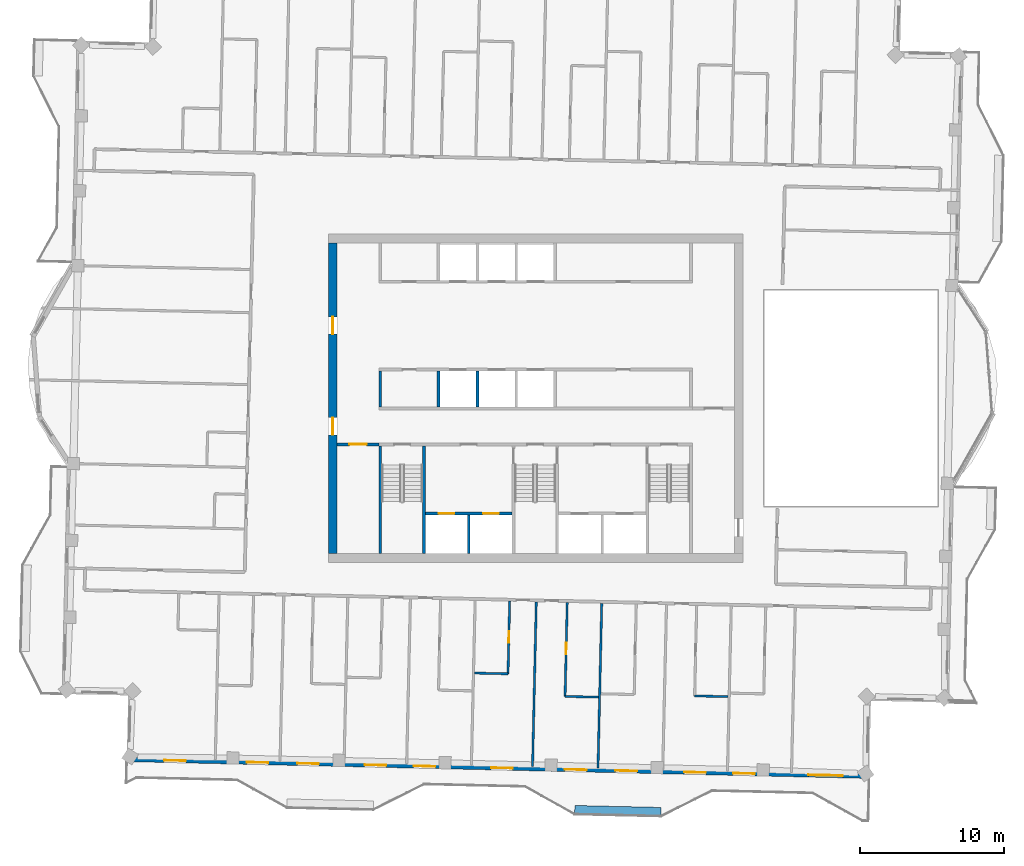
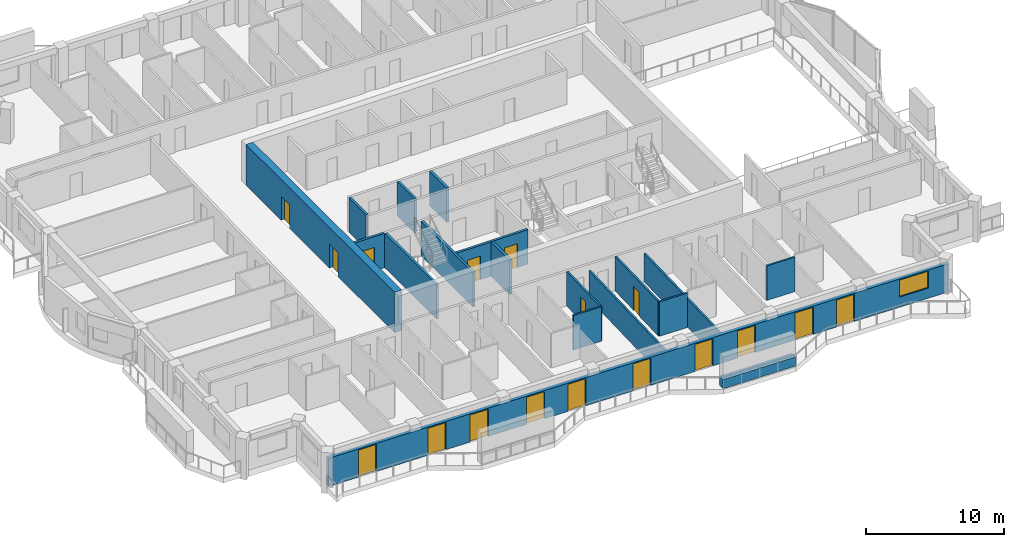
# One storey, part 5 of 15: 18 walls, 17 doors, 1 window, 18 openings.
"""IFC4 building model written with IfcOpenShell, lengths in metres."""

from ifc_helpers import new_model, si_unit, direction, frame, frame_2d, origin, place, context, subcontext, project, spatial, rectangle, extrude, material, layer, layer_set, type_object, element, fill, save


model = new_model("IFC4")

# Units and contexts
model_context = context("Model", 3, precision=1e-05, world=origin(), true_north=direction((0.0, 1.0)))
body_context = subcontext(model_context, "Body", "Model", "MODEL_VIEW")
ifc_project = project(units=[si_unit("LENGTHUNIT", "METRE"), si_unit("AREAUNIT", "SQUARE_METRE"), si_unit("VOLUMEUNIT", "CUBIC_METRE"), si_unit("PLANEANGLEUNIT", "RADIAN"), si_unit("MASSUNIT", "GRAM", prefix="KILO")], contexts=[model_context])

# Site, building, storey
site_placement = place(None, origin())
site = spatial("IfcSite", under=ifc_project, at=site_placement, CompositionType="ELEMENT")
building_placement = place(site_placement, origin())
building = spatial("IfcBuilding", under=site, at=building_placement, Name="Mangrove Gate Tower", CompositionType="ELEMENT")
storey_placement = place(building_placement, frame((0.0, 0.0, 320.5)))
storey = spatial("IfcBuildingStorey", under=building, at=storey_placement, Name="L82", CompositionType="ELEMENT", Elevation=320.5)

# Wall, opening, door
ifc_material_1 = material(Name="Concrete C32/40", Category="concrete")
ifc_layer_1 = layer(ifc_material_1, 0.199951171875)
ifc_layer_set_1 = layer_set([ifc_layer_1], Name="Core lobby wall 200 C32/40")
wall_type_1 = type_object("IfcWallType", Name="Core lobby wall 200 C32/40", PredefinedType="STANDARD", material=ifc_layer_set_1)
wall_1_placement = place(storey_placement, frame((-13.800048828125, -3.199951171875, 0.0), z_axis=(0.0, 0.0, 1.0), x_axis=(1.0, 0.0, 0.0)))
wall_1 = element("IfcWall", 1, at=wall_1_placement, inside=storey, type_object=wall_type_1, Name="WALL-L82-CORE-31", PredefinedType="STANDARD", context=body_context, shape_type="SweptSolid", body=[
    extrude(rectangle(XDim=2.900146484375, YDim=0.199951171875, at=frame_2d((1.4501953125, 0.0))), origin(), (0.0, 0.0, 1.0), 3.050048828125),
])
opening_1_placement = place(wall_1_placement, frame((0.85009765625, 0.0, 0.0)))
opening_1 = element("IfcOpeningElement", 2, at=opening_1_placement, cuts=wall_1, Name="Opening FL12", PredefinedType="OPENING", context=body_context, shape_type="SweptSolid", body=[
    extrude(rectangle(XDim=1.199951171875, YDim=2.10009765625, at=frame_2d((0.60009765625, 1.050048828125))), frame((0.0, 0.10986328125, 0.0), z_axis=(0.0, -1.0, 0.0), x_axis=(1.0, 0.0, 0.0)), (0.0, 0.0, 1.0), 0.219970703125),
])
ifc_material_2 = material(Name="Fire-rated steel door set", Category="steel")
door_type_1 = type_object("IfcDoorType", Name="Lobby door FD60 1200x2100", OperationType="SINGLE_SWING_LEFT", PredefinedType="DOOR", material=ifc_material_2)
door_1_placement = place(opening_1_placement, origin())
door_1 = element("IfcDoor", 3, at=door_1_placement, inside=storey, type_object=door_type_1, Name="Lobby door core corridor W partition", OperationType="SINGLE_SWING_LEFT", OverallHeight=2.10009765625, OverallWidth=1.199951171875, PredefinedType="DOOR", context=body_context, shape_type="SweptSolid", body=[
    extrude(rectangle(XDim=1.199951171875, YDim=2.10009765625, at=frame_2d((0.60009765625, 1.050048828125))), frame((0.0, 0.02490234375, 0.0), z_axis=(0.0, -1.0, 0.0), x_axis=(1.0, 0.0, 0.0)), (0.0, 0.0, 1.0), 0.050048828125),
])
fill(opening_1, door_1)

# Wall
ifc_material_3 = material(Name="Concrete C32/40", Category="concrete")
ifc_layer_2 = layer(ifc_material_3, 0.199951171875)
ifc_layer_set_2 = layer_set([ifc_layer_2], Name="Core room wall 200 C32/40")
wall_type_2 = type_object("IfcWallType", Name="Core room wall 200 C32/40", PredefinedType="STANDARD", material=ifc_layer_set_2)
wall_2_placement = place(storey_placement, frame((-10.800048828125, -0.60009765625, 0.0), z_axis=(0.0, 0.0, 1.0), x_axis=(0.0, 1.0, 0.0)))
element("IfcWall", 4, at=wall_2_placement, inside=storey, type_object=wall_type_2, Name="WALL-L82-CORE-19", PredefinedType="STANDARD", context=body_context, shape_type="SweptSolid", body=[
    extrude(rectangle(XDim=2.5, YDim=0.199951171875, at=frame_2d((1.25, 0.0))), origin(), (0.0, 0.0, 1.0), 3.050048828125),
])

# Wall, openings, doors
ifc_material_4 = material(Name="Concrete C50/60", Category="concrete")
ifc_layer_3 = layer(ifc_material_4, 0.199951171875)
ifc_layer_set_3 = layer_set([ifc_layer_3], Name="Core shaft wall 200 C50/60")
wall_type_3 = type_object("IfcWallType", Name="Core shaft wall 200 C50/60", PredefinedType="SHEAR", material=ifc_layer_set_3)
wall_3_placement = place(storey_placement, frame((-7.64990234375, -8.0, 0.0), z_axis=(0.0, 0.0, 1.0), x_axis=(1.0, 0.0, 0.0)))
wall_3 = element("IfcWall", 5, at=wall_3_placement, inside=storey, type_object=wall_type_3, Name="WALL-L82-CORE-15", PredefinedType="SHEAR", context=body_context, shape_type="SweptSolid", body=[
    extrude(rectangle(XDim=6.0, YDim=0.199951171875, at=frame_2d((3.0, 0.0))), origin(), (0.0, 0.0, 1.0), 3.050048828125),
])
opening_2_placement = place(wall_3_placement, frame((0.89990234375, 0.0, 0.0)))
opening_2 = element("IfcOpeningElement", 6, at=opening_2_placement, cuts=wall_3, Name="Opening LD", PredefinedType="OPENING", context=body_context, shape_type="SweptSolid", body=[
    extrude(rectangle(XDim=1.10009765625, YDim=2.10009765625, at=frame_2d((0.550048828125, 1.050048828125))), frame((0.0, 0.10986328125, 0.0), z_axis=(0.0, -1.0, 0.0), x_axis=(1.0, 0.0, 0.0)), (0.0, 0.0, 1.0), 0.219970703125),
])
opening_3_placement = place(wall_3_placement, frame((4.0, 0.0, 0.0)))
opening_3 = element("IfcOpeningElement", 7, at=opening_3_placement, cuts=wall_3, Name="Opening LD", PredefinedType="OPENING", context=body_context, shape_type="SweptSolid", body=[
    extrude(rectangle(XDim=1.10009765625, YDim=2.10009765625, at=frame_2d((0.550048828125, 1.050048828125))), frame((0.0, 0.10986328125, 0.0), z_axis=(0.0, -1.0, 0.0), x_axis=(1.0, 0.0, 0.0)), (0.0, 0.0, 1.0), 0.219970703125),
])
ifc_material_5 = material(Name="Stainless steel 316", Category="steel")
door_type_2 = type_object("IfcDoorType", Name="Lift landing door 1100x2100", OperationType="SLIDING_TO_LEFT", PredefinedType="DOOR", material=ifc_material_5)
door_2_placement = place(opening_2_placement, origin())
door_2 = element("IfcDoor", 8, at=door_2_placement, inside=storey, type_object=door_type_2, Name="Landing door LD SVL1", OperationType="SLIDING_TO_LEFT", OverallHeight=2.10009765625, OverallWidth=1.10009765625, PredefinedType="DOOR", context=body_context, shape_type="SweptSolid", body=[
    extrude(rectangle(XDim=1.10009765625, YDim=2.10009765625, at=frame_2d((0.550048828125, 1.050048828125))), frame((0.0, 0.02490234375, 0.0), z_axis=(0.0, -1.0, 0.0), x_axis=(1.0, 0.0, 0.0)), (0.0, 0.0, 1.0), 0.050048828125),
])
fill(opening_2, door_2)
door_3_placement = place(opening_3_placement, origin())
door_3 = element("IfcDoor", 9, at=door_3_placement, inside=storey, type_object=door_type_2, Name="Landing door LD SVL2", OperationType="SLIDING_TO_LEFT", OverallHeight=2.10009765625, OverallWidth=1.10009765625, PredefinedType="DOOR", context=body_context, shape_type="SweptSolid", body=[
    extrude(rectangle(XDim=1.10009765625, YDim=2.10009765625, at=frame_2d((0.550048828125, 1.050048828125))), frame((0.0, 0.02490234375, 0.0), z_axis=(0.0, -1.0, 0.0), x_axis=(1.0, 0.0, 0.0)), (0.0, 0.0, 1.0), 0.050048828125),
])
fill(opening_3, door_3)

# Walls
wall_4_placement = place(storey_placement, frame((-4.64990234375, -10.800048828125, 0.0), z_axis=(0.0, 0.0, 1.0), x_axis=(0.0, 1.0, 0.0)))
element("IfcWall", 10, at=wall_4_placement, inside=storey, type_object=wall_type_3, Name="WALL-L82-CORE-16", PredefinedType="SHEAR", context=body_context, shape_type="SweptSolid", body=[
    extrude(rectangle(XDim=2.699951171875, YDim=0.199951171875, at=frame_2d((1.35009765625, 0.0))), origin(), (0.0, 0.0, 1.0), 3.050048828125),
])
for number, where, z_axis, x_axis, name in (
    (11, (-6.75, -0.60009765625, 0.0), (0.0, 0.0, 1.0), (0.0, 1.0, 0.0), "WALL-L82-CORE-20"),
    (12, (-4.050048828125, -0.60009765625, 0.0), (0.0, 0.0, 1.0), (0.0, 1.0, 0.0), "WALL-L82-CORE-21"),
):
    element("IfcWall", number, at=place(storey_placement, frame(where, z_axis=z_axis, x_axis=x_axis)), inside=storey, type_object=wall_type_3, Name=name, PredefinedType="SHEAR", context=body_context, shape_type="SweptSolid", body=[
        extrude(rectangle(XDim=2.5, YDim=0.199951171875, at=frame_2d((1.25, 0.0))), origin(), (0.0, 0.0, 1.0), 3.050048828125),
    ])
ifc_material_6 = material(Name="Concrete C50/60", Category="concrete")
ifc_layer_4 = layer(ifc_material_6, 0.199951171875)
ifc_layer_set_4 = layer_set([ifc_layer_4], Name="Core stair wall 200 C50/60")
wall_type_4 = type_object("IfcWallType", Name="Core stair wall 200 C50/60", PredefinedType="SHEAR", material=ifc_layer_set_4)
for number, where, z_axis, x_axis, name in (
    (13, (-10.800048828125, -10.800048828125, 0.0), (0.0, 0.0, 1.0), (0.0, 1.0, 0.0), "WALL-L82-CORE-9"),
    (14, (-7.75, -10.800048828125, 0.0), (0.0, 0.0, 1.0), (0.0, 1.0, 0.0), "WALL-L82-CORE-10"),
):
    element("IfcWall", number, at=place(storey_placement, frame(where, z_axis=z_axis, x_axis=x_axis)), inside=storey, type_object=wall_type_4, Name=name, PredefinedType="SHEAR", context=body_context, shape_type="SweptSolid", body=[
        extrude(rectangle(XDim=7.5, YDim=0.199951171875, at=frame_2d((3.75, 0.0))), origin(), (0.0, 0.0, 1.0), 3.050048828125),
    ])

# Wall, openings, doors
ifc_material_7 = material(Name="Concrete C50/60", Category="concrete")
ifc_layer_5 = layer(ifc_material_7, 0.60009765625)
ifc_layer_set_5 = layer_set([ifc_layer_5], Name="Core wall 600 C50/60")
wall_type_5 = type_object("IfcWallType", Name="Core wall 600 C50/60", PredefinedType="SHEAR", material=ifc_layer_set_5)
wall_5_placement = place(storey_placement, frame((-14.10009765625, -10.800048828125, 0.0), z_axis=(0.0, 0.0, 1.0), x_axis=(0.0, 1.0, 0.0)))
wall_5 = element("IfcWall", 15, at=wall_5_placement, inside=storey, type_object=wall_type_5, Name="WALL-L82-CORE-3", PredefinedType="SHEAR", context=body_context, shape_type="SweptSolid", body=[
    extrude(rectangle(XDim=21.60009765625, YDim=0.60009765625, at=frame_2d((10.800048828125, 0.0))), origin(), (0.0, 0.0, 1.0), 3.60009765625),
])
opening_4_placement = place(wall_5_placement, frame((8.25, 0.0, 0.0)))
opening_4 = element("IfcOpeningElement", 16, at=opening_4_placement, cuts=wall_5, Name="Opening CD", PredefinedType="OPENING", context=body_context, shape_type="SweptSolid", body=[
    extrude(rectangle(XDim=1.199951171875, YDim=2.10009765625, at=frame_2d((0.60009765625, 1.050048828125))), frame((0.0, 0.31005859375, 0.0), z_axis=(0.0, -1.0, 0.0), x_axis=(1.0, 0.0, 0.0)), (0.0, 0.0, 1.0), 0.6201171875),
])
opening_5_placement = place(wall_5_placement, frame((15.25, 0.0, 0.0)))
opening_5 = element("IfcOpeningElement", 17, at=opening_5_placement, cuts=wall_5, Name="Opening CD", PredefinedType="OPENING", context=body_context, shape_type="SweptSolid", body=[
    extrude(rectangle(XDim=1.199951171875, YDim=2.10009765625, at=frame_2d((0.60009765625, 1.050048828125))), frame((0.0, 0.31005859375, 0.0), z_axis=(0.0, -1.0, 0.0), x_axis=(1.0, 0.0, 0.0)), (0.0, 0.0, 1.0), 0.6201171875),
])
ifc_material_8 = material(Name="Fire-rated steel door set", Category="steel")
door_type_3 = type_object("IfcDoorType", Name="Core ring door FD60 1200x2100", OperationType="DOUBLE_DOOR_SINGLE_SWING", PredefinedType="DOOR", material=ifc_material_8)
door_4_placement = place(opening_4_placement, origin())
door_4 = element("IfcDoor", 18, at=door_4_placement, inside=storey, type_object=door_type_3, Name="Core ring door W1", OperationType="DOUBLE_DOOR_SINGLE_SWING", OverallHeight=2.10009765625, OverallWidth=1.199951171875, PredefinedType="DOOR", context=body_context, shape_type="SweptSolid", body=[
    extrude(rectangle(XDim=1.199951171875, YDim=2.10009765625, at=frame_2d((0.60009765625, 1.050048828125))), frame((0.0, 0.02490234375, 0.0), z_axis=(0.0, -1.0, 0.0), x_axis=(1.0, 0.0, 0.0)), (0.0, 0.0, 1.0), 0.050048828125),
])
fill(opening_4, door_4)
door_5_placement = place(opening_5_placement, origin())
door_5 = element("IfcDoor", 19, at=door_5_placement, inside=storey, type_object=door_type_3, Name="Core ring door W2", OperationType="DOUBLE_DOOR_SINGLE_SWING", OverallHeight=2.10009765625, OverallWidth=1.199951171875, PredefinedType="DOOR", context=body_context, shape_type="SweptSolid", body=[
    extrude(rectangle(XDim=1.199951171875, YDim=2.10009765625, at=frame_2d((0.60009765625, 1.050048828125))), frame((0.0, 0.02490234375, 0.0), z_axis=(0.0, -1.0, 0.0), x_axis=(1.0, 0.0, 0.0)), (0.0, 0.0, 1.0), 0.050048828125),
])
fill(opening_5, door_5)

# Wall, openings, doors, window
ifc_material_9 = material(Name="Limestone", Category="masonry")
ifc_layer_6 = layer(ifc_material_9, 0.0400390625, Name="Limestone cladding")
ifc_material_10 = material(Name="Ventilated air gap")
ifc_layer_7 = layer(ifc_material_10, 0.0400390625, Name="Ventilated cavity")
ifc_material_11 = material(Name="Mineral wool insulation")
ifc_layer_8 = layer(ifc_material_11, 0.06005859375, Name="Insulation")
ifc_material_12 = material(Name="Breather membrane")
ifc_layer_9 = layer(ifc_material_12, 0.001953125, Name="Breather membrane")
ifc_material_13 = material(Name="Concrete C20/25 blockwork", Category="masonry")
ifc_layer_10 = layer(ifc_material_13, 0.14990234375, Name="Blockwork backing wall")
ifc_material_14 = material(Name="Gypsum plaster")
ifc_layer_11 = layer(ifc_material_14, 0.008056640625, Name="Internal plaster")
ifc_layer_set_6 = layer_set([ifc_layer_6, ifc_layer_7, ifc_layer_8, ifc_layer_9, ifc_layer_10, ifc_layer_11], Name="External wall 300 limestone cladding")
wall_type_6 = type_object("IfcWallType", Name="External wall 300 limestone cladding", PredefinedType="SOLIDWALL", material=ifc_layer_set_6)
wall_6_placement = place(storey_placement, frame((-28.263916015625, -25.10205078125, 0.0), z_axis=(0.0, 0.0, 1.0), x_axis=(0.999742520573, -0.022691244094, 0.0)))
wall_6 = element("IfcWall", 20, at=wall_6_placement, inside=storey, type_object=wall_type_6, Name="WALL-L82-S13", PredefinedType="SOLIDWALL", context=body_context, shape_type="SweptSolid", body=[
    extrude(rectangle(XDim=51.300048828125, YDim=0.300048828125, at=frame_2d((25.64990234375, 0.0))), origin(), (0.0, 0.0, 1.0), 2.5),
])
opening_6_placement = place(wall_6_placement, frame((2.455078125, 0.0, 0.0)))
opening_6 = element("IfcOpeningElement", 21, at=opening_6_placement, cuts=wall_6, Name="Opening BD1", PredefinedType="OPENING", context=body_context, shape_type="SweptSolid", body=[
    extrude(rectangle(XDim=1.5, YDim=2.39990234375, at=frame_2d((0.75, 1.199951171875))), frame((0.0, 0.159912109375, 0.0), z_axis=(0.0, -1.0, 0.0), x_axis=(1.0, 0.0, 0.0)), (0.0, 0.0, 1.0), 0.320068359375),
])
opening_7_placement = place(wall_6_placement, frame((8.197998046875, 0.0, 0.0)))
opening_7 = element("IfcOpeningElement", 22, at=opening_7_placement, cuts=wall_6, Name="Opening BD1", PredefinedType="OPENING", context=body_context, shape_type="SweptSolid", body=[
    extrude(rectangle(XDim=1.5, YDim=2.39990234375, at=frame_2d((0.75, 1.199951171875))), frame((0.0, 0.159912109375, 0.0), z_axis=(0.0, -1.0, 0.0), x_axis=(1.0, 0.0, 0.0)), (0.0, 0.0, 1.0), 0.320068359375),
])
opening_8_placement = place(wall_6_placement, frame((11.708984375, 0.0, 0.0)))
opening_8 = element("IfcOpeningElement", 23, at=opening_8_placement, cuts=wall_6, Name="Opening BD1", PredefinedType="OPENING", context=body_context, shape_type="SweptSolid", body=[
    extrude(rectangle(XDim=1.5, YDim=2.39990234375, at=frame_2d((0.75, 1.199951171875))), frame((0.0, 0.159912109375, 0.0), z_axis=(0.0, -1.0, 0.0), x_axis=(1.0, 0.0, 0.0)), (0.0, 0.0, 1.0), 0.320068359375),
])
opening_9_placement = place(wall_6_placement, frame((16.375, 0.0, 0.0)))
opening_9 = element("IfcOpeningElement", 24, at=opening_9_placement, cuts=wall_6, Name="Opening BD1", PredefinedType="OPENING", context=body_context, shape_type="SweptSolid", body=[
    extrude(rectangle(XDim=1.5, YDim=2.39990234375, at=frame_2d((0.75, 1.199951171875))), frame((0.0, 0.159912109375, 0.0), z_axis=(0.0, -1.0, 0.0), x_axis=(1.0, 0.0, 0.0)), (0.0, 0.0, 1.0), 0.320068359375),
])
opening_10_placement = place(wall_6_placement, frame((19.7939453125, 0.0, 0.0)))
opening_10 = element("IfcOpeningElement", 25, at=opening_10_placement, cuts=wall_6, Name="Opening BD1", PredefinedType="OPENING", context=body_context, shape_type="SweptSolid", body=[
    extrude(rectangle(XDim=1.5, YDim=2.39990234375, at=frame_2d((0.75, 1.199951171875))), frame((0.0, 0.159912109375, 0.0), z_axis=(0.0, -1.0, 0.0), x_axis=(1.0, 0.0, 0.0)), (0.0, 0.0, 1.0), 0.320068359375),
])
opening_11_placement = place(wall_6_placement, frame((25.175048828125, 0.0, 0.0)))
opening_11 = element("IfcOpeningElement", 26, at=opening_11_placement, cuts=wall_6, Name="Opening BD1", PredefinedType="OPENING", context=body_context, shape_type="SweptSolid", body=[
    extrude(rectangle(XDim=1.5, YDim=2.39990234375, at=frame_2d((0.75, 1.199951171875))), frame((0.0, 0.159912109375, 0.0), z_axis=(0.0, -1.0, 0.0), x_axis=(1.0, 0.0, 0.0)), (0.0, 0.0, 1.0), 0.320068359375),
])
opening_12_placement = place(wall_6_placement, frame((30.304931640625, 0.0, 0.0)))
opening_12 = element("IfcOpeningElement", 27, at=opening_12_placement, cuts=wall_6, Name="Opening BD1", PredefinedType="OPENING", context=body_context, shape_type="SweptSolid", body=[
    extrude(rectangle(XDim=1.5, YDim=2.39990234375, at=frame_2d((0.75, 1.199951171875))), frame((0.0, 0.159912109375, 0.0), z_axis=(0.0, -1.0, 0.0), x_axis=(1.0, 0.0, 0.0)), (0.0, 0.0, 1.0), 0.320068359375),
])
opening_13_placement = place(wall_6_placement, frame((33.81591796875, 0.0, 0.0)))
opening_13 = element("IfcOpeningElement", 28, at=opening_13_placement, cuts=wall_6, Name="Opening BD1", PredefinedType="OPENING", context=body_context, shape_type="SweptSolid", body=[
    extrude(rectangle(XDim=1.5, YDim=2.39990234375, at=frame_2d((0.75, 1.199951171875))), frame((0.0, 0.159912109375, 0.0), z_axis=(0.0, -1.0, 0.0), x_axis=(1.0, 0.0, 0.0)), (0.0, 0.0, 1.0), 0.320068359375),
])
opening_14_placement = place(wall_6_placement, frame((38.60009765625, 0.0, 0.0)))
opening_14 = element("IfcOpeningElement", 29, at=opening_14_placement, cuts=wall_6, Name="Opening BD1", PredefinedType="OPENING", context=body_context, shape_type="SweptSolid", body=[
    extrude(rectangle(XDim=1.5, YDim=2.39990234375, at=frame_2d((0.75, 1.199951171875))), frame((0.0, 0.159912109375, 0.0), z_axis=(0.0, -1.0, 0.0), x_axis=(1.0, 0.0, 0.0)), (0.0, 0.0, 1.0), 0.320068359375),
])
opening_15_placement = place(wall_6_placement, frame((42.001953125, 0.0, 0.0)))
opening_15 = element("IfcOpeningElement", 30, at=opening_15_placement, cuts=wall_6, Name="Opening BD1", PredefinedType="OPENING", context=body_context, shape_type="SweptSolid", body=[
    extrude(rectangle(XDim=1.5, YDim=2.39990234375, at=frame_2d((0.75, 1.199951171875))), frame((0.0, 0.159912109375, 0.0), z_axis=(0.0, -1.0, 0.0), x_axis=(1.0, 0.0, 0.0)), (0.0, 0.0, 1.0), 0.320068359375),
])
opening_16_placement = place(wall_6_placement, frame((47.22802734375, 0.0, 0.89990234375)))
opening_16 = element("IfcOpeningElement", 31, at=opening_16_placement, cuts=wall_6, Name="Opening W2", PredefinedType="OPENING", context=body_context, shape_type="SweptSolid", body=[
    extrude(rectangle(XDim=2.39990234375, YDim=1.5, at=frame_2d((1.199951171875, 0.75))), frame((0.0, 0.159912109375, 0.0), z_axis=(0.0, -1.0, 0.0), x_axis=(1.0, 0.0, 0.0)), (0.0, 0.0, 1.0), 0.320068359375),
])
ifc_material_15 = material(Name="Aluminium frame with laminated clear glass", Category="aluminium")
door_type_4 = type_object("IfcDoorType", Name="Balcony sliding door 1500x2400", OperationType="SLIDING_TO_LEFT", PredefinedType="DOOR", material=ifc_material_15)
door_6_placement = place(opening_6_placement, origin())
door_6 = element("IfcDoor", 32, at=door_6_placement, inside=storey, type_object=door_type_4, Name="DOOR-L82-S13-1", OperationType="SLIDING_TO_LEFT", OverallHeight=2.39990234375, OverallWidth=1.5, PredefinedType="DOOR", context=body_context, shape_type="SweptSolid", body=[
    extrude(rectangle(XDim=1.5, YDim=2.39990234375, at=frame_2d((0.75, 1.199951171875))), frame((0.0, 0.02490234375, 0.0), z_axis=(0.0, -1.0, 0.0), x_axis=(1.0, 0.0, 0.0)), (0.0, 0.0, 1.0), 0.050048828125),
])
fill(opening_6, door_6)
door_7_placement = place(opening_7_placement, origin())
door_7 = element("IfcDoor", 33, at=door_7_placement, inside=storey, type_object=door_type_4, Name="DOOR-L82-S13-2", OperationType="SLIDING_TO_LEFT", OverallHeight=2.39990234375, OverallWidth=1.5, PredefinedType="DOOR", context=body_context, shape_type="SweptSolid", body=[
    extrude(rectangle(XDim=1.5, YDim=2.39990234375, at=frame_2d((0.75, 1.199951171875))), frame((0.0, 0.02490234375, 0.0), z_axis=(0.0, -1.0, 0.0), x_axis=(1.0, 0.0, 0.0)), (0.0, 0.0, 1.0), 0.050048828125),
])
fill(opening_7, door_7)
door_8_placement = place(opening_8_placement, origin())
door_8 = element("IfcDoor", 34, at=door_8_placement, inside=storey, type_object=door_type_4, Name="DOOR-L82-S13-3", OperationType="SLIDING_TO_LEFT", OverallHeight=2.39990234375, OverallWidth=1.5, PredefinedType="DOOR", context=body_context, shape_type="SweptSolid", body=[
    extrude(rectangle(XDim=1.5, YDim=2.39990234375, at=frame_2d((0.75, 1.199951171875))), frame((0.0, 0.02490234375, 0.0), z_axis=(0.0, -1.0, 0.0), x_axis=(1.0, 0.0, 0.0)), (0.0, 0.0, 1.0), 0.050048828125),
])
fill(opening_8, door_8)
door_9_placement = place(opening_9_placement, origin())
door_9 = element("IfcDoor", 35, at=door_9_placement, inside=storey, type_object=door_type_4, Name="DOOR-L82-S13-4", OperationType="SLIDING_TO_LEFT", OverallHeight=2.39990234375, OverallWidth=1.5, PredefinedType="DOOR", context=body_context, shape_type="SweptSolid", body=[
    extrude(rectangle(XDim=1.5, YDim=2.39990234375, at=frame_2d((0.75, 1.199951171875))), frame((0.0, 0.02490234375, 0.0), z_axis=(0.0, -1.0, 0.0), x_axis=(1.0, 0.0, 0.0)), (0.0, 0.0, 1.0), 0.050048828125),
])
fill(opening_9, door_9)
door_10_placement = place(opening_10_placement, origin())
door_10 = element("IfcDoor", 36, at=door_10_placement, inside=storey, type_object=door_type_4, Name="DOOR-L82-S13-5", OperationType="SLIDING_TO_LEFT", OverallHeight=2.39990234375, OverallWidth=1.5, PredefinedType="DOOR", context=body_context, shape_type="SweptSolid", body=[
    extrude(rectangle(XDim=1.5, YDim=2.39990234375, at=frame_2d((0.75, 1.199951171875))), frame((0.0, 0.02490234375, 0.0), z_axis=(0.0, -1.0, 0.0), x_axis=(1.0, 0.0, 0.0)), (0.0, 0.0, 1.0), 0.050048828125),
])
fill(opening_10, door_10)
door_11_placement = place(opening_11_placement, origin())
door_11 = element("IfcDoor", 37, at=door_11_placement, inside=storey, type_object=door_type_4, Name="DOOR-L82-S13-6", OperationType="SLIDING_TO_LEFT", OverallHeight=2.39990234375, OverallWidth=1.5, PredefinedType="DOOR", context=body_context, shape_type="SweptSolid", body=[
    extrude(rectangle(XDim=1.5, YDim=2.39990234375, at=frame_2d((0.75, 1.199951171875))), frame((0.0, 0.02490234375, 0.0), z_axis=(0.0, -1.0, 0.0), x_axis=(1.0, 0.0, 0.0)), (0.0, 0.0, 1.0), 0.050048828125),
])
fill(opening_11, door_11)
door_12_placement = place(opening_12_placement, origin())
door_12 = element("IfcDoor", 38, at=door_12_placement, inside=storey, type_object=door_type_4, Name="DOOR-L82-S13-7", OperationType="SLIDING_TO_LEFT", OverallHeight=2.39990234375, OverallWidth=1.5, PredefinedType="DOOR", context=body_context, shape_type="SweptSolid", body=[
    extrude(rectangle(XDim=1.5, YDim=2.39990234375, at=frame_2d((0.75, 1.199951171875))), frame((0.0, 0.02490234375, 0.0), z_axis=(0.0, -1.0, 0.0), x_axis=(1.0, 0.0, 0.0)), (0.0, 0.0, 1.0), 0.050048828125),
])
fill(opening_12, door_12)
door_13_placement = place(opening_13_placement, origin())
door_13 = element("IfcDoor", 39, at=door_13_placement, inside=storey, type_object=door_type_4, Name="DOOR-L82-S13-8", OperationType="SLIDING_TO_LEFT", OverallHeight=2.39990234375, OverallWidth=1.5, PredefinedType="DOOR", context=body_context, shape_type="SweptSolid", body=[
    extrude(rectangle(XDim=1.5, YDim=2.39990234375, at=frame_2d((0.75, 1.199951171875))), frame((0.0, 0.02490234375, 0.0), z_axis=(0.0, -1.0, 0.0), x_axis=(1.0, 0.0, 0.0)), (0.0, 0.0, 1.0), 0.050048828125),
])
fill(opening_13, door_13)
door_14_placement = place(opening_14_placement, origin())
door_14 = element("IfcDoor", 40, at=door_14_placement, inside=storey, type_object=door_type_4, Name="DOOR-L82-S13-9", OperationType="SLIDING_TO_LEFT", OverallHeight=2.39990234375, OverallWidth=1.5, PredefinedType="DOOR", context=body_context, shape_type="SweptSolid", body=[
    extrude(rectangle(XDim=1.5, YDim=2.39990234375, at=frame_2d((0.75, 1.199951171875))), frame((0.0, 0.02490234375, 0.0), z_axis=(0.0, -1.0, 0.0), x_axis=(1.0, 0.0, 0.0)), (0.0, 0.0, 1.0), 0.050048828125),
])
fill(opening_14, door_14)
door_15_placement = place(opening_15_placement, origin())
door_15 = element("IfcDoor", 41, at=door_15_placement, inside=storey, type_object=door_type_4, Name="DOOR-L82-S13-10", OperationType="SLIDING_TO_LEFT", OverallHeight=2.39990234375, OverallWidth=1.5, PredefinedType="DOOR", context=body_context, shape_type="SweptSolid", body=[
    extrude(rectangle(XDim=1.5, YDim=2.39990234375, at=frame_2d((0.75, 1.199951171875))), frame((0.0, 0.02490234375, 0.0), z_axis=(0.0, -1.0, 0.0), x_axis=(1.0, 0.0, 0.0)), (0.0, 0.0, 1.0), 0.050048828125),
])
fill(opening_15, door_15)
ifc_material_16 = material(Name="Aluminium frame with double-glazed low-e glass", Category="aluminium")
window_type = type_object("IfcWindowType", Name="Corner room window 2400x1500", PartitioningType="DOUBLE_PANEL_VERTICAL", PredefinedType="WINDOW", material=ifc_material_16)
window_placement = place(opening_16_placement, origin())
window = element("IfcWindow", 42, at=window_placement, inside=storey, type_object=window_type, Name="WIN-L82-S13-11", OverallHeight=1.5, OverallWidth=2.39990234375, PartitioningType="DOUBLE_PANEL_VERTICAL", PredefinedType="WINDOW", context=body_context, shape_type="SweptSolid", body=[
    extrude(rectangle(XDim=2.39990234375, YDim=1.5, at=frame_2d((1.199951171875, 0.75))), frame((0.0, 0.030029296875, 0.0), z_axis=(0.0, -1.0, 0.0), x_axis=(1.0, 0.0, 0.0)), (0.0, 0.0, 1.0), 0.06005859375),
])
fill(opening_16, window)

# Walls
ifc_material_17 = material(Name="Gypsum board on steel stud, EI 60", Category="steel")
ifc_layer_12 = layer(ifc_material_17, 0.14990234375)
ifc_layer_set_7 = layer_set([ifc_layer_12], Name="Party wall 150 EI 60")
wall_type_7 = type_object("IfcWallType", Name="Party wall 150 EI 60", PredefinedType="PARTITIONING", material=ifc_layer_set_7)
for number, where, z_axis, x_axis, name in (
    (43, (-0.218017578125, -25.587890625, 0.0), (0.0, 0.0, 1.0), (0.022708812003, 0.999742121678, 0.0), "WALL-L82-006"),
    (44, (4.3310546875, -25.69189453125, 0.0), (0.0, 0.0, 1.0), (0.022708812003, 0.999742121678, 0.0), "WALL-L82-007"),
):
    element("IfcWall", number, at=place(storey_placement, frame(where, z_axis=z_axis, x_axis=x_axis)), inside=storey, type_object=wall_type_7, Name=name, PredefinedType="PARTITIONING", context=body_context, shape_type="SweptSolid", body=[
        extrude(rectangle(XDim=11.44970703125, YDim=0.14990234375, at=frame_2d((5.724853515625, 0.0))), origin(), (0.0, 0.0, 1.0), 2.5),
    ])
wall_7_placement = place(storey_placement, frame((2.04296875, -20.718017578125, 0.0), z_axis=(0.0, 0.0, 1.0), x_axis=(0.999740478815, -0.022781023197, 0.0)))
element("IfcWall", 45, at=wall_7_placement, inside=storey, type_object=wall_type_7, Name="WALL-L82-011", PredefinedType="PARTITIONING", context=body_context, shape_type="SweptSolid", body=[
    extrude(rectangle(XDim=2.325439453125, YDim=0.14990234375, at=frame_2d((1.16259765625, 0.0))), origin(), (0.0, 0.0, 1.0), 3.050048828125),
])

# Wall, opening, door
wall_8_placement = place(storey_placement, frame((2.04296875, -20.718017578125, 0.0), z_axis=(0.0, 0.0, 1.0), x_axis=(0.022807185318, 0.999739882318, 0.0)))
wall_8 = element("IfcWall", 46, at=wall_8_placement, inside=storey, type_object=wall_type_7, Name="WALL-L82-012", PredefinedType="PARTITIONING", context=body_context, shape_type="SweptSolid", body=[
    extrude(rectangle(XDim=6.52978515625, YDim=0.14990234375, at=frame_2d((3.264892578125, 0.0))), origin(), (0.0, 0.0, 1.0), 3.050048828125),
])
opening_17_placement = place(wall_8_placement, frame((2.9150390625, 0.0, 0.0)))
opening_17 = element("IfcOpeningElement", 47, at=opening_17_placement, cuts=wall_8, Name="Opening ED", PredefinedType="OPENING", context=body_context, shape_type="SweptSolid", body=[
    extrude(rectangle(XDim=0.800048828125, YDim=2.10009765625, at=frame_2d((0.39990234375, 1.050048828125))), frame((0.0, 0.0849609375, 0.0), z_axis=(0.0, -1.0, 0.0), x_axis=(1.0, 0.0, 0.0)), (0.0, 0.0, 1.0), 0.169921875),
])
ifc_material_18 = material(Name="Timber door leaf", Category="wood")
door_type_5 = type_object("IfcDoorType", Name="En-suite door 800", OperationType="SINGLE_SWING_LEFT", PredefinedType="DOOR", material=ifc_material_18)
door_16_placement = place(opening_17_placement, origin())
door_16 = element("IfcDoor", 48, at=door_16_placement, inside=storey, type_object=door_type_5, Name="DOOR-L82-ENS-c206", OperationType="SINGLE_SWING_RIGHT", OverallHeight=2.10009765625, OverallWidth=0.800048828125, PredefinedType="DOOR", context=body_context, shape_type="SweptSolid", body=[
    extrude(rectangle(XDim=0.800048828125, YDim=2.10009765625, at=frame_2d((0.39990234375, 1.050048828125))), frame((0.0, 0.02490234375, 0.0), z_axis=(0.0, -1.0, 0.0), x_axis=(1.0, 0.0, 0.0)), (0.0, 0.0, 1.0), 0.050048828125),
])
fill(opening_17, door_16)

# Walls
for number, where, z_axis, x_axis, name in (
    (49, (11.047119140625, -20.68310546875, 0.0), (0.0, 0.0, 1.0), (0.999749744571, -0.022370700241, 0.0), "WALL-L82-019"),
    (50, (-4.24609375, -19.094970703125, 0.0), (0.0, 0.0, 1.0), (0.999740260747, -0.02279059109, 0.0), "WALL-L82-027"),
):
    element("IfcWall", number, at=place(storey_placement, frame(where, z_axis=z_axis, x_axis=x_axis)), inside=storey, type_object=wall_type_7, Name=name, PredefinedType="PARTITIONING", context=body_context, shape_type="SweptSolid", body=[
        extrude(rectangle(XDim=2.324462890625, YDim=0.14990234375, at=frame_2d((1.162109375, 0.0))), origin(), (0.0, 0.0, 1.0), 3.050048828125),
    ])

# Wall, opening, door
wall_9_placement = place(storey_placement, frame((-1.922119140625, -19.14794921875, 0.0), z_axis=(0.0, 0.0, 1.0), x_axis=(0.02281804195, 0.999739634586, 0.0)))
wall_9 = element("IfcWall", 51, at=wall_9_placement, inside=storey, type_object=wall_type_7, Name="WALL-L82-028", PredefinedType="PARTITIONING", context=body_context, shape_type="SweptSolid", body=[
    extrude(rectangle(XDim=5.050048828125, YDim=0.14990234375, at=frame_2d((2.52490234375, 0.0))), origin(), (0.0, 0.0, 1.0), 3.050048828125),
])
opening_18_placement = place(wall_9_placement, frame((2.175048828125, 0.0, 0.0)))
opening_18 = element("IfcOpeningElement", 52, at=opening_18_placement, cuts=wall_9, Name="Opening ED", PredefinedType="OPENING", context=body_context, shape_type="SweptSolid", body=[
    extrude(rectangle(XDim=0.800048828125, YDim=2.10009765625, at=frame_2d((0.39990234375, 1.050048828125))), frame((0.0, 0.0849609375, 0.0), z_axis=(0.0, -1.0, 0.0), x_axis=(1.0, 0.0, 0.0)), (0.0, 0.0, 1.0), 0.169921875),
])
door_17_placement = place(opening_18_placement, origin())
door_17 = element("IfcDoor", 53, at=door_17_placement, inside=storey, type_object=door_type_5, Name="DOOR-L82-ENS-c205", OperationType="SINGLE_SWING_LEFT", OverallHeight=2.10009765625, OverallWidth=0.800048828125, PredefinedType="DOOR", context=body_context, shape_type="SweptSolid", body=[
    extrude(rectangle(XDim=0.800048828125, YDim=2.10009765625, at=frame_2d((0.39990234375, 1.050048828125))), frame((0.0, 0.02490234375, 0.0), z_axis=(0.0, -1.0, 0.0), x_axis=(1.0, 0.0, 0.0)), (0.0, 0.0, 1.0), 0.050048828125),
])
fill(opening_18, door_17)

# Wall
ifc_material_19 = material(Name="Concrete C32/40", Category="concrete")
ifc_layer_13 = layer(ifc_material_19, 0.199951171875, Name="Planter trough wall")
ifc_material_20 = material(Name="Bituminous waterproofing membrane")
ifc_layer_14 = layer(ifc_material_20, 0.0048828125, Name="Waterproofing")
ifc_material_21 = material(Name="Drainage board and gravel")
ifc_layer_15 = layer(ifc_material_21, 0.044921875, Name="Drainage layer")
ifc_material_22 = material(Name="Planting soil")
ifc_layer_16 = layer(ifc_material_22, 0.300048828125, Name="Growing medium")
ifc_layer_set_8 = layer_set([ifc_layer_13, ifc_layer_14, ifc_layer_15, ifc_layer_16], Name="Planter wall 550 C32/40")
wall_type_8 = type_object("IfcWallType", Name="Planter wall 550 C32/40", PredefinedType="USERDEFINED", material=ifc_layer_set_8)
wall_10_placement = place(storey_placement, frame((2.715087890625, -28.571044921875, 0.0), z_axis=(0.0, 0.0, 1.0), x_axis=(0.999743178102, -0.022662255828, 0.0)))
element("IfcWall", 54, at=wall_10_placement, inside=storey, type_object=wall_type_8, Name="PLANTER L82 S1.1", ObjectType="PLANTER", PredefinedType="USERDEFINED", context=body_context, shape_type="SweptSolid", body=[
    extrude(rectangle(XDim=6.00048828125, YDim=0.550048828125, at=frame_2d((3.000244140625, 0.0))), origin(), (0.0, 0.0, 1.0), 0.800048828125),
])

save(model, "model.ifc")
